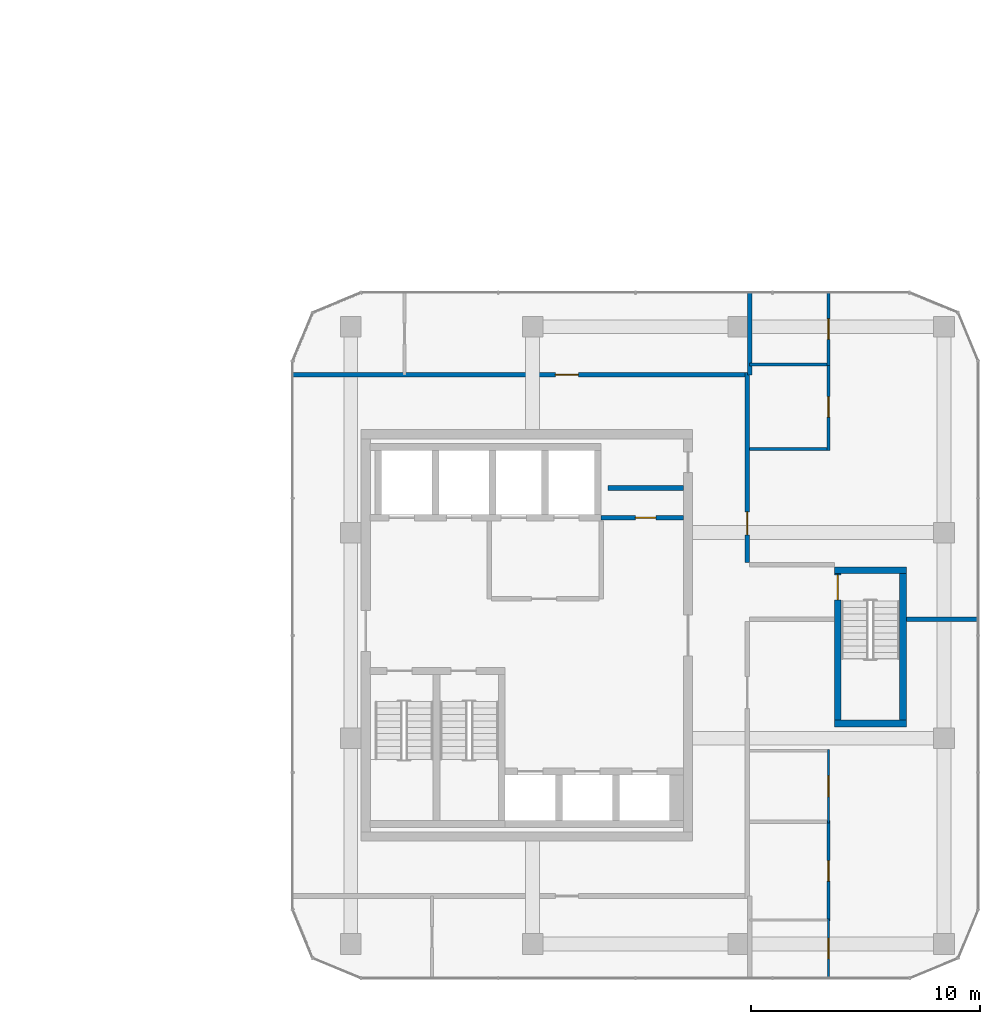
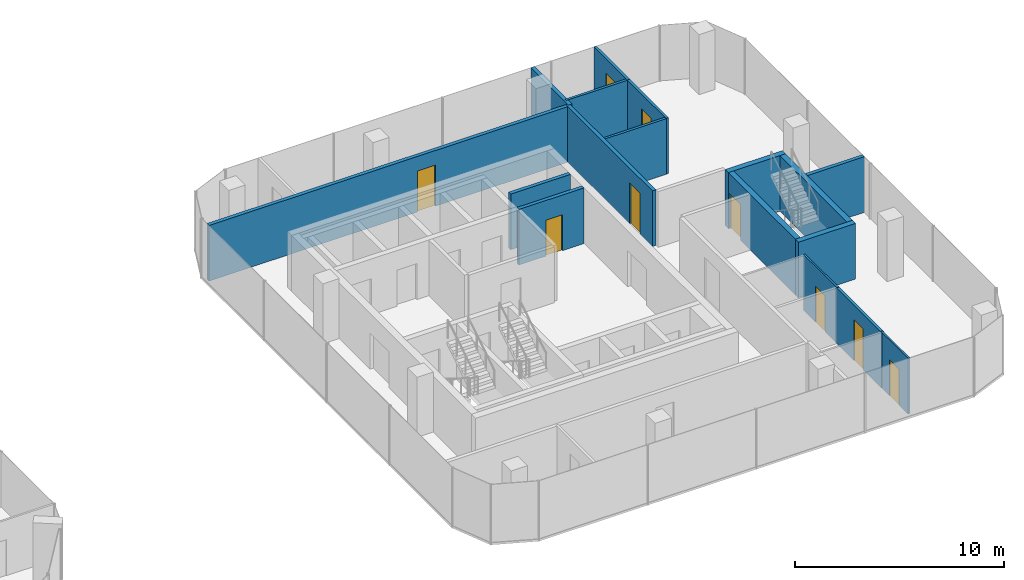
# One storey, part 18 of 22: 17 walls, 9 doors, 9 openings.
"""IFC4 building model written with IfcOpenShell, lengths in metres."""

import ifcopenshell
import ifcopenshell.guid

model = None  # the IFC model being written
_history = None  # IfcOwnerHistory: only IFC2X3 demands one
_inside = {}  # id of a spatial element -> (the spatial element, [elements in it])
_under = {}  # id of a project, library or spatial element -> (it, [spatial elements below it])
_declared = {}  # id of a project -> (the project, [libraries it declares])
_typed = {}  # id of a type object -> (the type object, [elements of that type])
_made_of = {}  # id of a material, layer set ... -> (it, [elements and type objects made of it])


def new_model(schema):
    """Start an empty IFC model of exactly this schema.

    Asked for "IFC4X3", IfcOpenShell would pick the latest addendum, in which some entities
    have other attributes; the version numbers below select the first issue.
    IFC2X3 requires an IfcOwnerHistory on every rooted entity: one is made here for all.
    """
    global model, _history
    if schema == "IFC4X3":
        model = ifcopenshell.file(schema_version=(4, 3, 0, 0))
    else:
        model = ifcopenshell.file(schema=schema)
    _inside.clear()
    _under.clear()
    _declared.clear()
    _typed.clear()
    _made_of.clear()
    _history = None
    if model.schema == "IFC2X3":
        org = make("IfcOrganization", Name="unknown")
        user = make(
            "IfcPersonAndOrganization",
            ThePerson=make("IfcPerson", FamilyName="unknown"),
            TheOrganization=org,
        )
        app = make(
            "IfcApplication",
            ApplicationDeveloper=org,
            Version="unknown",
            ApplicationFullName="unknown",
            ApplicationIdentifier="unknown",
        )
        _history = make(
            "IfcOwnerHistory",
            OwningUser=user,
            OwningApplication=app,
            ChangeAction="ADDED",
            CreationDate=0,
        )
    return model


def make(cls, **values):
    """One entity of the class cls with the attributes given. An attribute that is None is left unset."""
    return model.create_entity(
        cls, **{name: value for name, value in values.items() if value is not None}
    )


def rooted(cls, **values):
    """An entity with a GlobalId (a new one), such as an element, a storey or a relation."""
    return make(cls, GlobalId=ifcopenshell.guid.new(), OwnerHistory=_history, **values)


def si_unit(unit_type, name, prefix=None):
    """IfcSIUnit, for example si_unit("LENGTHUNIT", "METRE", prefix="MILLI")."""
    return make("IfcSIUnit", UnitType=unit_type, Prefix=prefix, Name=name)


def assignment(units):
    """IfcUnitAssignment: the units of a project."""
    return None if units is None else make("IfcUnitAssignment", Units=units)


def point(xyz):
    """IfcCartesianPoint."""
    return None if xyz is None else make("IfcCartesianPoint", Coordinates=xyz)


def direction(xyz):
    """IfcDirection."""
    return None if xyz is None else make("IfcDirection", DirectionRatios=xyz)


def frame(location, z_axis=None, x_axis=None):
    """IfcAxis2Placement3D, a coordinate frame: its origin and axes. An axis left out is left unset."""
    return make(
        "IfcAxis2Placement3D",
        Location=point(location),
        Axis=direction(z_axis),
        RefDirection=direction(x_axis),
    )


def frame_2d(location, x_axis=None):
    """IfcAxis2Placement2D, a coordinate frame in the plane: its origin and x axis."""
    return make(
        "IfcAxis2Placement2D", Location=point(location), RefDirection=direction(x_axis)
    )


def origin():
    """The frame at (0, 0, 0) with its axes left unset."""
    return frame((0.0, 0.0, 0.0))


def place(relative_to, where):
    """IfcLocalPlacement: puts the frame where relative to a parent placement (None: the world)."""
    return make(
        "IfcLocalPlacement", PlacementRelTo=relative_to, RelativePlacement=where
    )


def context(
    kind, dimensions, precision=None, world=None, true_north=None, identifier=None
):
    """IfcGeometricRepresentationContext, for example the 3D "Model" context."""
    return make(
        "IfcGeometricRepresentationContext",
        ContextIdentifier=identifier,
        ContextType=kind,
        CoordinateSpaceDimension=dimensions,
        Precision=precision,
        WorldCoordinateSystem=world,
        TrueNorth=true_north,
    )


def subcontext(parent, identifier, kind, view, scale=None):
    """IfcGeometricRepresentationSubContext, for example "Body" below "Model"."""
    return make(
        "IfcGeometricRepresentationSubContext",
        ContextIdentifier=identifier,
        ContextType=kind,
        ParentContext=parent,
        TargetScale=scale,
        TargetView=view,
    )


def project(units=None, contexts=None):
    """IfcProject with its units and contexts."""
    return rooted(
        "IfcProject",
        Name="project",
        RepresentationContexts=contexts,
        UnitsInContext=assignment(units),
    )


def spatial(cls, under=None, at=None, **own):
    """A site, building, storey or space (cls), placed at a placement, below another one or the project."""
    s = rooted(cls, ObjectPlacement=at, **own)
    if under is not None:
        _under.setdefault(under.id(), (under, []))[1].append(s)
    return s


def profile(cls, at=None, kind="AREA", **sizes):
    """A parametric profile (cls). Its sizes go by their IFC names, for example OverallWidth=200.0."""
    return make(cls, ProfileType=kind, Position=at, **sizes)


def rectangle(**sizes):
    """IfcRectangleProfileDef."""
    return profile("IfcRectangleProfileDef", **sizes)


def extrude(swept, where, along, depth):
    """IfcExtrudedAreaSolid: the profile swept, set in the frame where, extruded along a direction by depth."""
    return make(
        "IfcExtrudedAreaSolid",
        SweptArea=swept,
        Position=where,
        ExtrudedDirection=direction(along),
        Depth=depth,
    )


def shape(context_of_items, identifier, shape_type, items):
    """IfcShapeRepresentation: the items that make up one representation, for example the "Body"."""
    return make(
        "IfcShapeRepresentation",
        ContextOfItems=context_of_items,
        RepresentationIdentifier=identifier,
        RepresentationType=shape_type,
        Items=items,
    )


def material(Name=None, Category=None):
    """IfcMaterial."""
    return make("IfcMaterial", Name=Name, Category=Category)


def layer(
    of_material, thickness, ventilated=None, Name=None, Category=None, Priority=None
):
    """IfcMaterialLayer: one layer of a wall or slab, of a material (None: an air gap)."""
    return make(
        "IfcMaterialLayer",
        Material=of_material,
        LayerThickness=thickness,
        IsVentilated=ventilated,
        Name=Name,
        Category=Category,
        Priority=Priority,
    )


def layer_set(layers, Name=None):
    """IfcMaterialLayerSet."""
    return make("IfcMaterialLayerSet", MaterialLayers=layers, LayerSetName=Name)


def made_of(thing, what):
    """Note that an element or type object is made of a material, layer set ...; save() writes the relation."""
    if what is not None:
        _made_of.setdefault(what.id(), (what, []))[1].append(thing)
    return thing


def type_object(cls, material=None, **own):
    """A type object (cls), such as IfcWallType, which elements share."""
    return made_of(rooted(cls, **own), material)


def element(
    cls,
    number,
    at=None,
    inside=None,
    cuts=None,
    type_object=None,
    material=None,
    context=None,
    identifier="Body",
    shape_type=None,
    held_by="IfcProductDefinitionShape",
    body=None,
    shapes=None,
    **own,
):
    """One element of the class cls, such as IfcWall. Its Tag is "e" and its number.

    at: its placement. inside: the storey or other place that contains it. cuts: it is an
    opening in that element (IfcRelVoidsElement). A single representation is given by context,
    identifier, shape_type and body (its items); several are given by shapes. held_by: the class
    of the entity that holds the representations. save() writes the other relations.
    """
    e = rooted(cls, Tag="e%d" % number, ObjectPlacement=at, **own)
    if body is not None:
        shapes = [shape(context, identifier, shape_type, body)]
    if shapes is not None:
        e.Representation = make(held_by, Representations=shapes)
    if inside is not None:
        _inside.setdefault(inside.id(), (inside, []))[1].append(e)
    if cuts is not None:
        rooted(
            "IfcRelVoidsElement", RelatingBuildingElement=cuts, RelatedOpeningElement=e
        )
    if type_object is not None:
        _typed.setdefault(type_object.id(), (type_object, []))[1].append(e)
    return made_of(e, material)


def fill(opening, filler):
    """IfcRelFillsElement: the door or window that sits in an opening."""
    return rooted(
        "IfcRelFillsElement",
        RelatingOpeningElement=opening,
        RelatedBuildingElement=filler,
    )


def aggregate(whole, parts):
    """IfcRelAggregates: a whole, such as a stair, and the parts it consists of."""
    return rooted("IfcRelAggregates", RelatingObject=whole, RelatedObjects=parts)


def save(model, path):
    """Write the relations noted so far, then the file.

    IfcRelAggregates (storeys below a building ...), IfcRelContainedInSpatialStructure (elements
    in a storey), IfcRelDefinesByType, IfcRelAssociatesMaterial and IfcRelDeclares: one each for
    every whole, place, type object, material and project.
    """
    for whole, parts in _under.values():
        aggregate(whole, parts)
    for where, things in _inside.values():
        rooted(
            "IfcRelContainedInSpatialStructure",
            RelatedElements=things,
            RelatingStructure=where,
        )
    for kind, things in _typed.values():
        rooted("IfcRelDefinesByType", RelatedObjects=things, RelatingType=kind)
    for what, things in _made_of.values():
        rooted("IfcRelAssociatesMaterial", RelatedObjects=things, RelatingMaterial=what)
    for by, libraries in _declared.values():
        rooted("IfcRelDeclares", RelatingContext=by, RelatedDefinitions=libraries)
    model.write(path)


model = new_model("IFC4")

# Units and contexts
model_context = context("Model", 3, precision=1e-05, world=origin(), true_north=direction((0.0, 1.0)))
body_context = subcontext(model_context, "Body", "Model", "MODEL_VIEW")
ifc_project = project(units=[si_unit("LENGTHUNIT", "METRE"), si_unit("AREAUNIT", "SQUARE_METRE"), si_unit("VOLUMEUNIT", "CUBIC_METRE"), si_unit("PLANEANGLEUNIT", "RADIAN"), si_unit("MASSUNIT", "GRAM", prefix="KILO")], contexts=[model_context])

# Site, building, storey
site_placement = place(None, origin())
site = spatial("IfcSite", under=ifc_project, at=site_placement, CompositionType="ELEMENT")
building_placement = place(site_placement, origin())
building = spatial("IfcBuilding", under=site, at=building_placement, Name="Plateau Cross Towers", CompositionType="ELEMENT")
storey_placement = place(building_placement, frame((0.0, 0.0, 106.300048828125)))
storey = spatial("IfcBuildingStorey", under=building, at=storey_placement, Name="L27", CompositionType="ELEMENT", Elevation=106.300048828125)

# Wall, opening, door
ifc_material_1 = material(Name="Concrete block, plastered both sides", Category="concrete")
ifc_layer_1 = layer(ifc_material_1, 0.199951171875)
ifc_layer_set_1 = layer_set([ifc_layer_1], Name="Concrete block, plastered both sides")
wall_type_1 = type_object("IfcWallType", Name="Core partition 200", PredefinedType="PARTITIONING", material=ifc_layer_set_1)
wall_1_placement = place(storey_placement, frame((85.5, 14.14990234375, 0.0), z_axis=(0.0, 0.0, 1.0), x_axis=(1.0, 0.0, 0.0)))
wall_1 = element("IfcWall", 1, at=wall_1_placement, inside=storey, type_object=wall_type_1, Name="Core partition", PredefinedType="PARTITIONING", context=body_context, shape_type="SweptSolid", body=[
    extrude(rectangle(XDim=3.60009765625, YDim=0.199951171875, at=frame_2d((1.800048828125, 0.0))), origin(), (0.0, 0.0, 1.0), 3.25),
])
opening_1_placement = place(wall_1_placement, frame((1.5, 0.0, 0.0)))
opening_1 = element("IfcOpeningElement", 2, at=opening_1_placement, cuts=wall_1, Name="Opening RD2", PredefinedType="OPENING", context=body_context, shape_type="SweptSolid", body=[
    extrude(rectangle(XDim=0.89990234375, YDim=2.10009765625, at=frame_2d((0.449951171875, 1.050048828125))), frame((0.0, 0.10986328125, 0.0), z_axis=(0.0, -1.0, 0.0), x_axis=(1.0, 0.0, 0.0)), (0.0, 0.0, 1.0), 0.219970703125),
])
ifc_material_2 = material(Name="Steel, fire-resisting leaf", Category="steel")
door_type_1 = type_object("IfcDoorType", Name="Core riser door 900", OperationType="NOTDEFINED", PredefinedType="DOOR", material=ifc_material_2)
door_1_placement = place(opening_1_placement, origin())
door_1 = element("IfcDoor", 3, at=door_1_placement, inside=storey, type_object=door_type_1, Name="Core riser door RD2", OperationType="SINGLE_SWING_LEFT", OverallHeight=2.10009765625, OverallWidth=0.89990234375, PredefinedType="DOOR", context=body_context, shape_type="SweptSolid", body=[
    extrude(rectangle(XDim=0.89990234375, YDim=2.10009765625, at=frame_2d((0.449951171875, 1.050048828125))), frame((0.0, 0.02490234375, 0.0), z_axis=(0.0, -1.0, 0.0), x_axis=(1.0, 0.0, 0.0)), (0.0, 0.0, 1.0), 0.050048828125),
])
fill(opening_1, door_1)

# Wall
wall_2_placement = place(storey_placement, frame((85.800048828125, 15.449951171875, 0.0), z_axis=(0.0, 0.0, 1.0), x_axis=(1.0, 0.0, 0.0)))
element("IfcWall", 4, at=wall_2_placement, inside=storey, type_object=wall_type_1, Name="Core partition", PredefinedType="PARTITIONING", context=body_context, shape_type="SweptSolid", body=[
    extrude(rectangle(XDim=3.300048828125, YDim=0.199951171875, at=frame_2d((1.64990234375, 0.0))), origin(), (0.0, 0.0, 1.0), 3.25),
])

# Wall, opening, door
ifc_material_3 = material(Name="Concrete C60/75", Category="concrete")
ifc_layer_2 = layer(ifc_material_3, 0.300048828125)
ifc_layer_set_2 = layer_set([ifc_layer_2], Name="Concrete C60/75")
wall_type_2 = type_object("IfcWallType", Name="Core shaft wall 300", PredefinedType="SHEAR", material=ifc_layer_set_2)
wall_3_placement = place(storey_placement, frame((95.85009765625, 5.300048828125, 0.0), z_axis=(0.0, 0.0, 1.0), x_axis=(0.0, 1.0, 0.0)))
wall_3 = element("IfcWall", 5, at=wall_3_placement, inside=storey, type_object=wall_type_2, Name="B-sb3-W@L27", PredefinedType="SHEAR", context=body_context, shape_type="SweptSolid", body=[
    extrude(rectangle(XDim=6.39990234375, YDim=0.300048828125, at=frame_2d((3.199951171875, 0.0))), origin(), (0.0, 0.0, 1.0), 3.25),
])
opening_2_placement = place(wall_3_placement, frame((5.25, 0.0, 0.0)))
opening_2 = element("IfcOpeningElement", 6, at=opening_2_placement, cuts=wall_3, Name="Opening SD", PredefinedType="OPENING", context=body_context, shape_type="SweptSolid", body=[
    extrude(rectangle(XDim=1.10009765625, YDim=2.10009765625, at=frame_2d((0.550048828125, 1.050048828125))), frame((0.0, 0.159912109375, 0.0), z_axis=(0.0, -1.0, 0.0), x_axis=(1.0, 0.0, 0.0)), (0.0, 0.0, 1.0), 0.320068359375),
])
door_type_2 = type_object("IfcDoorType", Name="Stair door 1100", OperationType="NOTDEFINED", PredefinedType="DOOR", material=ifc_material_2)
door_2_placement = place(opening_2_placement, origin())
door_2 = element("IfcDoor", 7, at=door_2_placement, inside=storey, type_object=door_type_2, Name="Stair door SD", OperationType="SINGLE_SWING_LEFT", OverallHeight=2.10009765625, OverallWidth=1.10009765625, PredefinedType="DOOR", context=body_context, shape_type="SweptSolid", body=[
    extrude(rectangle(XDim=1.10009765625, YDim=2.10009765625, at=frame_2d((0.550048828125, 1.050048828125))), frame((0.0, 0.02490234375, 0.0), z_axis=(0.0, -1.0, 0.0), x_axis=(1.0, 0.0, 0.0)), (0.0, 0.0, 1.0), 0.050048828125),
])
fill(opening_2, door_2)

# Walls
wall_4_placement = place(storey_placement, frame((98.699951171875, 5.300048828125, 0.0), z_axis=(0.0, 0.0, 1.0), x_axis=(0.0, 1.0, 0.0)))
element("IfcWall", 8, at=wall_4_placement, inside=storey, type_object=wall_type_2, Name="B-sb3-E@L27", PredefinedType="SHEAR", context=body_context, shape_type="SweptSolid", body=[
    extrude(rectangle(XDim=6.39990234375, YDim=0.300048828125, at=frame_2d((3.199951171875, 0.0))), origin(), (0.0, 0.0, 1.0), 3.25),
])
for number, where, z_axis, x_axis, name in (
    (9, (95.699951171875, 5.14990234375, 0.0), (0.0, 0.0, 1.0), (1.0, 0.0, 0.0), "B-sb3-S@L27"),
    (10, (95.699951171875, 11.85009765625, 0.0), (0.0, 0.0, 1.0), (1.0, 0.0, 0.0), "B-sb3-N@L27"),
):
    element("IfcWall", number, at=place(storey_placement, frame(where, z_axis=z_axis, x_axis=x_axis)), inside=storey, type_object=wall_type_2, Name=name, PredefinedType="SHEAR", context=body_context, shape_type="SweptSolid", body=[
        extrude(rectangle(XDim=3.150146484375, YDim=0.300048828125, at=frame_2d((1.5751953125, 0.0))), origin(), (0.0, 0.0, 1.0), 3.25),
    ])

# Wall, opening, door
ifc_material_4 = material(Name="Gypsum board on steel studs, two layers each side", Category="steel")
ifc_layer_3 = layer(ifc_material_4, 0.199951171875)
ifc_layer_set_3 = layer_set([ifc_layer_3], Name="Gypsum board on steel studs, two layers each side")
wall_type_3 = type_object("IfcWallType", Name="Corridor wall 200", PredefinedType="PARTITIONING", material=ifc_layer_set_3)
wall_5_placement = place(storey_placement, frame((72.0, 20.39990234375, 0.0), z_axis=(0.0, 0.0, 1.0), x_axis=(1.0, 0.0, 0.0)))
wall_5 = element("IfcWall", 11, at=wall_5_placement, inside=storey, type_object=wall_type_3, Name="Ring wall", PredefinedType="PARTITIONING", context=body_context, shape_type="SweptSolid", body=[
    extrude(rectangle(XDim=20.0, YDim=0.199951171875, at=frame_2d((10.0, 0.0))), origin(), (0.0, 0.0, 1.0), 3.25),
])
opening_3_placement = place(wall_5_placement, frame((11.5, 0.0, 0.0)))
opening_3 = element("IfcOpeningElement", 12, at=opening_3_placement, cuts=wall_5, Name="Opening D-BO10", PredefinedType="OPENING", context=body_context, shape_type="SweptSolid", body=[
    extrude(rectangle(XDim=1.0, YDim=2.39990234375, at=frame_2d((0.5, 1.199951171875))), frame((0.0, 0.10986328125, 0.0), z_axis=(0.0, -1.0, 0.0), x_axis=(1.0, 0.0, 0.0)), (0.0, 0.0, 1.0), 0.219970703125),
])
ifc_material_5 = material(Name="Fire-resisting glazed leaf in a steel frame", Category="steel")
door_type_3 = type_object("IfcDoorType", Name="Office glazed entrance leaf 1000x2400", OperationType="NOTDEFINED", PredefinedType="DOOR", material=ifc_material_5)
door_3_placement = place(opening_3_placement, origin())
door_3 = element("IfcDoor", 13, at=door_3_placement, inside=storey, type_object=door_type_3, Name="Door D-BO10", OperationType="SINGLE_SWING_LEFT", OverallHeight=2.39990234375, OverallWidth=1.0, PredefinedType="DOOR", context=body_context, shape_type="SweptSolid", body=[
    extrude(rectangle(XDim=1.0, YDim=2.39990234375, at=frame_2d((0.5, 1.199951171875))), frame((0.0, 0.02490234375, 0.0), z_axis=(0.0, -1.0, 0.0), x_axis=(1.0, 0.0, 0.0)), (0.0, 0.0, 1.0), 0.050048828125),
])
fill(opening_3, door_3)

wall_6_placement = place(storey_placement, frame((91.89990234375, 12.199951171875, 0.0), z_axis=(0.0, 0.0, 1.0), x_axis=(0.0, 1.0, 0.0)))
wall_6 = element("IfcWall", 14, at=wall_6_placement, inside=storey, type_object=wall_type_3, Name="Ring wall", PredefinedType="PARTITIONING", context=body_context, shape_type="SweptSolid", body=[
    extrude(rectangle(XDim=8.300048828125, YDim=0.199951171875, at=frame_2d((4.14990234375, 0.0))), origin(), (0.0, 0.0, 1.0), 3.25),
])
opening_4_placement = place(wall_6_placement, frame((1.199951171875, 0.0, 0.0)))
opening_4 = element("IfcOpeningElement", 15, at=opening_4_placement, cuts=wall_6, Name="Opening D-BO10", PredefinedType="OPENING", context=body_context, shape_type="SweptSolid", body=[
    extrude(rectangle(XDim=1.0, YDim=2.39990234375, at=frame_2d((0.5, 1.199951171875))), frame((0.0, 0.10986328125, 0.0), z_axis=(0.0, -1.0, 0.0), x_axis=(1.0, 0.0, 0.0)), (0.0, 0.0, 1.0), 0.219970703125),
])
door_4_placement = place(opening_4_placement, origin())
door_4 = element("IfcDoor", 16, at=door_4_placement, inside=storey, type_object=door_type_3, Name="Door D-BO10", OperationType="SINGLE_SWING_LEFT", OverallHeight=2.39990234375, OverallWidth=1.0, PredefinedType="DOOR", context=body_context, shape_type="SweptSolid", body=[
    extrude(rectangle(XDim=1.0, YDim=2.39990234375, at=frame_2d((0.5, 1.199951171875))), frame((0.0, 0.02490234375, 0.0), z_axis=(0.0, -1.0, 0.0), x_axis=(1.0, 0.0, 0.0)), (0.0, 0.0, 1.0), 0.050048828125),
])
fill(opening_4, door_4)

ifc_material_6 = material(Name="Gypsum board on staggered steel studs, mineral wool, two layers each side", Category="steel")
ifc_layer_4 = layer(ifc_material_6, 0.139892578125)
ifc_layer_set_4 = layer_set([ifc_layer_4], Name="Gypsum board on staggered steel studs, mineral wool, two layers each side")
wall_type_4 = type_object("IfcWallType", Name="Meeting room acoustic partition 140", PredefinedType="PARTITIONING", material=ifc_layer_set_4)
wall_7_placement = place(storey_placement, frame((95.449951171875, -3.5, 0.0), z_axis=(0.0, 0.0, 1.0), x_axis=(0.0, 1.0, 0.0)))
wall_7 = element("IfcWall", 17, at=wall_7_placement, inside=storey, type_object=wall_type_4, Name="Acoustic wall", PredefinedType="PARTITIONING", context=body_context, shape_type="SweptSolid", body=[
    extrude(rectangle(XDim=4.39990234375, YDim=0.139892578125, at=frame_2d((2.199951171875, 0.0))), origin(), (0.0, 0.0, 1.0), 3.25),
])
opening_5_placement = place(wall_7_placement, frame((1.75, 0.0, 0.0)))
opening_5 = element("IfcOpeningElement", 18, at=opening_5_placement, cuts=wall_7, Name="Opening D-BM9", PredefinedType="OPENING", context=body_context, shape_type="SweptSolid", body=[
    extrude(rectangle(XDim=0.89990234375, YDim=2.39990234375, at=frame_2d((0.449951171875, 1.199951171875))), frame((0.0, 0.079833984375, 0.0), z_axis=(0.0, -1.0, 0.0), x_axis=(1.0, 0.0, 0.0)), (0.0, 0.0, 1.0), 0.159912109375),
])
ifc_material_7 = material(Name="Timber leaf, full height", Category="wood")
door_type_4 = type_object("IfcDoorType", Name="Meeting room door 900x2400", OperationType="NOTDEFINED", PredefinedType="DOOR", material=ifc_material_7)
door_5_placement = place(opening_5_placement, origin())
door_5 = element("IfcDoor", 19, at=door_5_placement, inside=storey, type_object=door_type_4, Name="Door D-BM9", OperationType="SINGLE_SWING_LEFT", OverallHeight=2.39990234375, OverallWidth=0.89990234375, PredefinedType="DOOR", context=body_context, shape_type="SweptSolid", body=[
    extrude(rectangle(XDim=0.89990234375, YDim=2.39990234375, at=frame_2d((0.449951171875, 1.199951171875))), frame((0.0, 0.02490234375, 0.0), z_axis=(0.0, -1.0, 0.0), x_axis=(1.0, 0.0, 0.0)), (0.0, 0.0, 1.0), 0.050048828125),
])
fill(opening_5, door_5)

wall_8_placement = place(storey_placement, frame((95.449951171875, 20.800048828125, 0.0), z_axis=(0.0, 0.0, 1.0), x_axis=(0.0, 1.0, 0.0)))
wall_8 = element("IfcWall", 20, at=wall_8_placement, inside=storey, type_object=wall_type_4, Name="Acoustic wall", PredefinedType="PARTITIONING", context=body_context, shape_type="SweptSolid", body=[
    extrude(rectangle(XDim=3.199951171875, YDim=0.139892578125, at=frame_2d((1.60009765625, 0.0))), origin(), (0.0, 0.0, 1.0), 3.25),
])
opening_6_placement = place(wall_8_placement, frame((1.14990234375, 0.0, 0.0)))
opening_6 = element("IfcOpeningElement", 21, at=opening_6_placement, cuts=wall_8, Name="Opening D-BM9", PredefinedType="OPENING", context=body_context, shape_type="SweptSolid", body=[
    extrude(rectangle(XDim=0.89990234375, YDim=2.39990234375, at=frame_2d((0.449951171875, 1.199951171875))), frame((0.0, 0.079833984375, 0.0), z_axis=(0.0, -1.0, 0.0), x_axis=(1.0, 0.0, 0.0)), (0.0, 0.0, 1.0), 0.159912109375),
])
door_6_placement = place(opening_6_placement, origin())
door_6 = element("IfcDoor", 22, at=door_6_placement, inside=storey, type_object=door_type_4, Name="Door D-BM9", OperationType="SINGLE_SWING_LEFT", OverallHeight=2.39990234375, OverallWidth=0.89990234375, PredefinedType="DOOR", context=body_context, shape_type="SweptSolid", body=[
    extrude(rectangle(XDim=0.89990234375, YDim=2.39990234375, at=frame_2d((0.449951171875, 1.199951171875))), frame((0.0, 0.02490234375, 0.0), z_axis=(0.0, -1.0, 0.0), x_axis=(1.0, 0.0, 0.0)), (0.0, 0.0, 1.0), 0.050048828125),
])
fill(opening_6, door_6)

# Wall
wall_9_placement = place(storey_placement, frame((92.0, 20.85009765625, 0.0), z_axis=(0.0, 0.0, 1.0), x_axis=(1.0, 0.0, 0.0)))
element("IfcWall", 23, at=wall_9_placement, inside=storey, type_object=wall_type_4, Name="Acoustic wall", PredefinedType="PARTITIONING", context=body_context, shape_type="SweptSolid", body=[
    extrude(rectangle(XDim=3.3798828125, YDim=0.139892578125, at=frame_2d((1.68994140625, 0.0))), origin(), (0.0, 0.0, 1.0), 3.25),
])

# Wall, opening, door
wall_10_placement = place(storey_placement, frame((95.449951171875, 17.10009765625, 0.0), z_axis=(0.0, 0.0, 1.0), x_axis=(0.0, 1.0, 0.0)))
wall_10 = element("IfcWall", 24, at=wall_10_placement, inside=storey, type_object=wall_type_4, Name="Acoustic wall", PredefinedType="PARTITIONING", context=body_context, shape_type="SweptSolid", body=[
    extrude(rectangle(XDim=3.7998046875, YDim=0.139892578125, at=frame_2d((1.89990234375, 0.0))), origin(), (0.0, 0.0, 1.0), 3.25),
])
opening_7_placement = place(wall_10_placement, frame((1.449951171875, 0.0, 0.0)))
opening_7 = element("IfcOpeningElement", 25, at=opening_7_placement, cuts=wall_10, Name="Opening D-BM9", PredefinedType="OPENING", context=body_context, shape_type="SweptSolid", body=[
    extrude(rectangle(XDim=0.89990234375, YDim=2.39990234375, at=frame_2d((0.449951171875, 1.199951171875))), frame((0.0, 0.079833984375, 0.0), z_axis=(0.0, -1.0, 0.0), x_axis=(1.0, 0.0, 0.0)), (0.0, 0.0, 1.0), 0.159912109375),
])
door_7_placement = place(opening_7_placement, origin())
door_7 = element("IfcDoor", 26, at=door_7_placement, inside=storey, type_object=door_type_4, Name="Door D-BM9", OperationType="SINGLE_SWING_LEFT", OverallHeight=2.39990234375, OverallWidth=0.89990234375, PredefinedType="DOOR", context=body_context, shape_type="SweptSolid", body=[
    extrude(rectangle(XDim=0.89990234375, YDim=2.39990234375, at=frame_2d((0.449951171875, 1.199951171875))), frame((0.0, 0.02490234375, 0.0), z_axis=(0.0, -1.0, 0.0), x_axis=(1.0, 0.0, 0.0)), (0.0, 0.0, 1.0), 0.050048828125),
])
fill(opening_7, door_7)

# Wall
wall_11_placement = place(storey_placement, frame((92.0, 17.14990234375, 0.0), z_axis=(0.0, 0.0, 1.0), x_axis=(1.0, 0.0, 0.0)))
element("IfcWall", 27, at=wall_11_placement, inside=storey, type_object=wall_type_4, Name="Acoustic wall", PredefinedType="PARTITIONING", context=body_context, shape_type="SweptSolid", body=[
    extrude(rectangle(XDim=3.3798828125, YDim=0.139892578125, at=frame_2d((1.68994140625, 0.0))), origin(), (0.0, 0.0, 1.0), 3.25),
])

# Wall, opening, door
ifc_material_8 = material(Name="Gypsum board on steel studs", Category="steel")
ifc_layer_5 = layer(ifc_material_8, 0.10009765625)
ifc_layer_set_5 = layer_set([ifc_layer_5], Name="Gypsum board on steel studs")
wall_type_5 = type_object("IfcWallType", Name="Office partition 100", PredefinedType="PARTITIONING", material=ifc_layer_set_5)
wall_12_placement = place(storey_placement, frame((95.449951171875, -6.0, 0.0), z_axis=(0.0, 0.0, 1.0), x_axis=(0.0, 1.0, 0.0)))
wall_12 = element("IfcWall", 28, at=wall_12_placement, inside=storey, type_object=wall_type_5, Name="Part wall", PredefinedType="PARTITIONING", context=body_context, shape_type="SweptSolid", body=[
    extrude(rectangle(XDim=2.60009765625, YDim=0.10009765625, at=frame_2d((1.300048828125, 0.0))), origin(), (0.0, 0.0, 1.0), 3.25),
])
opening_8_placement = place(wall_12_placement, frame((0.85009765625, 0.0, 0.0)))
opening_8 = element("IfcOpeningElement", 29, at=opening_8_placement, cuts=wall_12, Name="Opening D-BR9", PredefinedType="OPENING", context=body_context, shape_type="SweptSolid", body=[
    extrude(rectangle(XDim=0.89990234375, YDim=2.10009765625, at=frame_2d((0.449951171875, 1.050048828125))), frame((0.0, 0.06005859375, 0.0), z_axis=(0.0, -1.0, 0.0), x_axis=(1.0, 0.0, 0.0)), (0.0, 0.0, 1.0), 0.1201171875),
])
ifc_material_9 = material(Name="Timber leaf", Category="wood")
door_type_5 = type_object("IfcDoorType", Name="Office room door 900", OperationType="NOTDEFINED", PredefinedType="DOOR", material=ifc_material_9)
door_8_placement = place(opening_8_placement, origin())
door_8 = element("IfcDoor", 30, at=door_8_placement, inside=storey, type_object=door_type_5, Name="Door D-BR9", OperationType="SINGLE_SWING_LEFT", OverallHeight=2.10009765625, OverallWidth=0.89990234375, PredefinedType="DOOR", context=body_context, shape_type="SweptSolid", body=[
    extrude(rectangle(XDim=0.89990234375, YDim=2.10009765625, at=frame_2d((0.449951171875, 1.050048828125))), frame((0.0, 0.02490234375, 0.0), z_axis=(0.0, -1.0, 0.0), x_axis=(1.0, 0.0, 0.0)), (0.0, 0.0, 1.0), 0.050048828125),
])
fill(opening_8, door_8)

wall_13_placement = place(storey_placement, frame((95.449951171875, 0.800048828125, 0.0), z_axis=(0.0, 0.0, 1.0), x_axis=(0.0, 1.0, 0.0)))
wall_13 = element("IfcWall", 31, at=wall_13_placement, inside=storey, type_object=wall_type_5, Name="Part wall", PredefinedType="PARTITIONING", context=body_context, shape_type="SweptSolid", body=[
    extrude(rectangle(XDim=3.199951171875, YDim=0.10009765625, at=frame_2d((1.60009765625, 0.0))), origin(), (0.0, 0.0, 1.0), 3.25),
])
opening_9_placement = place(wall_13_placement, frame((1.14990234375, 0.0, 0.0)))
opening_9 = element("IfcOpeningElement", 32, at=opening_9_placement, cuts=wall_13, Name="Opening D-BR9", PredefinedType="OPENING", context=body_context, shape_type="SweptSolid", body=[
    extrude(rectangle(XDim=0.89990234375, YDim=2.10009765625, at=frame_2d((0.449951171875, 1.050048828125))), frame((0.0, 0.06005859375, 0.0), z_axis=(0.0, -1.0, 0.0), x_axis=(1.0, 0.0, 0.0)), (0.0, 0.0, 1.0), 0.1201171875),
])
door_9_placement = place(opening_9_placement, origin())
door_9 = element("IfcDoor", 33, at=door_9_placement, inside=storey, type_object=door_type_5, Name="Door D-BR9", OperationType="SINGLE_SWING_LEFT", OverallHeight=2.10009765625, OverallWidth=0.89990234375, PredefinedType="DOOR", context=body_context, shape_type="SweptSolid", body=[
    extrude(rectangle(XDim=0.89990234375, YDim=2.10009765625, at=frame_2d((0.449951171875, 1.050048828125))), frame((0.0, 0.02490234375, 0.0), z_axis=(0.0, -1.0, 0.0), x_axis=(1.0, 0.0, 0.0)), (0.0, 0.0, 1.0), 0.050048828125),
])
fill(opening_9, door_9)

# Walls
ifc_layer_6 = layer(ifc_material_4, 0.199951171875)
ifc_layer_set_6 = layer_set([ifc_layer_6], Name="Gypsum board on steel studs, two layers each side")
wall_type_6 = type_object("IfcWallType", Name="Tenancy demising wall 200", PredefinedType="PARTITIONING", material=ifc_layer_set_6)
wall_14_placement = place(storey_placement, frame((98.85009765625, 9.699951171875, 0.0), z_axis=(0.0, 0.0, 1.0), x_axis=(1.0, 0.0, 0.0)))
element("IfcWall", 34, at=wall_14_placement, inside=storey, type_object=wall_type_6, Name="Demising wall", PredefinedType="PARTITIONING", context=body_context, shape_type="SweptSolid", body=[
    extrude(rectangle(XDim=3.14990234375, YDim=0.199951171875, at=frame_2d((1.574951171875, 0.0))), origin(), (0.0, 0.0, 1.0), 3.25),
])
wall_15_placement = place(storey_placement, frame((92.0, 20.39990234375, 0.0), z_axis=(0.0, 0.0, 1.0), x_axis=(0.0, 1.0, 0.0)))
element("IfcWall", 35, at=wall_15_placement, inside=storey, type_object=wall_type_6, Name="Demising wall", PredefinedType="PARTITIONING", context=body_context, shape_type="SweptSolid", body=[
    extrude(rectangle(XDim=3.60009765625, YDim=0.199951171875, at=frame_2d((1.800048828125, 0.0))), origin(), (0.0, 0.0, 1.0), 3.25),
])

save(model, "model.ifc")
